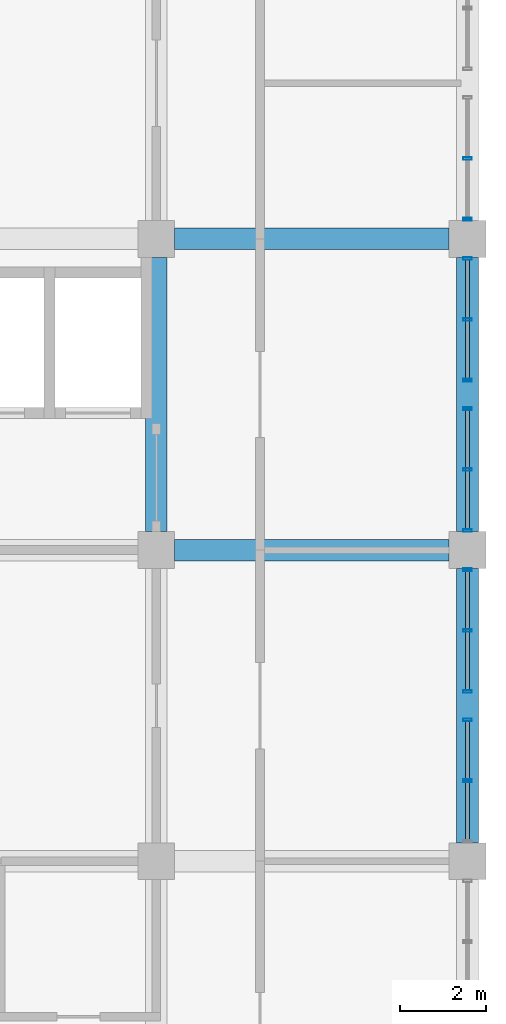
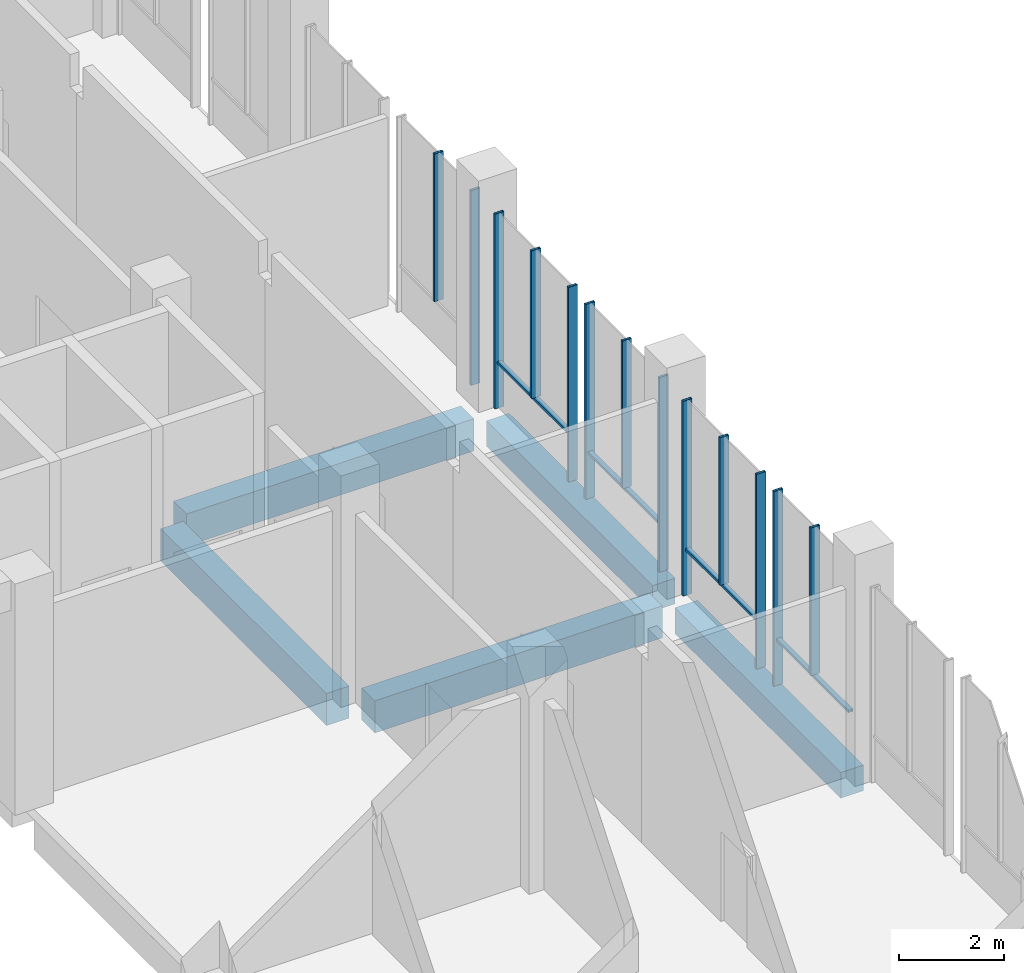
# One storey, part 15 of 48: 17 members, 5 beams, 5 elements without a shape of their own.
"""IFC4 building model written with IfcOpenShell, lengths in metres."""

import ifcopenshell
import ifcopenshell.guid

model = None  # the IFC model being written
_history = None  # IfcOwnerHistory: only IFC2X3 demands one
_inside = {}  # id of a spatial element -> (the spatial element, [elements in it])
_under = {}  # id of a project, library or spatial element -> (it, [spatial elements below it])
_declared = {}  # id of a project -> (the project, [libraries it declares])
_typed = {}  # id of a type object -> (the type object, [elements of that type])
_made_of = {}  # id of a material, layer set ... -> (it, [elements and type objects made of it])


def new_model(schema):
    """Start an empty IFC model of exactly this schema.

    Asked for "IFC4X3", IfcOpenShell would pick the latest addendum, in which some entities
    have other attributes; the version numbers below select the first issue.
    IFC2X3 requires an IfcOwnerHistory on every rooted entity: one is made here for all.
    """
    global model, _history
    if schema == "IFC4X3":
        model = ifcopenshell.file(schema_version=(4, 3, 0, 0))
    else:
        model = ifcopenshell.file(schema=schema)
    _inside.clear()
    _under.clear()
    _declared.clear()
    _typed.clear()
    _made_of.clear()
    _history = None
    if model.schema == "IFC2X3":
        org = make("IfcOrganization", Name="unknown")
        user = make(
            "IfcPersonAndOrganization",
            ThePerson=make("IfcPerson", FamilyName="unknown"),
            TheOrganization=org,
        )
        app = make(
            "IfcApplication",
            ApplicationDeveloper=org,
            Version="unknown",
            ApplicationFullName="unknown",
            ApplicationIdentifier="unknown",
        )
        _history = make(
            "IfcOwnerHistory",
            OwningUser=user,
            OwningApplication=app,
            ChangeAction="ADDED",
            CreationDate=0,
        )
    return model


def make(cls, **values):
    """One entity of the class cls with the attributes given. An attribute that is None is left unset."""
    return model.create_entity(
        cls, **{name: value for name, value in values.items() if value is not None}
    )


def rooted(cls, **values):
    """An entity with a GlobalId (a new one), such as an element, a storey or a relation."""
    return make(cls, GlobalId=ifcopenshell.guid.new(), OwnerHistory=_history, **values)


def si_unit(unit_type, name, prefix=None):
    """IfcSIUnit, for example si_unit("LENGTHUNIT", "METRE", prefix="MILLI")."""
    return make("IfcSIUnit", UnitType=unit_type, Prefix=prefix, Name=name)


def assignment(units):
    """IfcUnitAssignment: the units of a project."""
    return None if units is None else make("IfcUnitAssignment", Units=units)


def point(xyz):
    """IfcCartesianPoint."""
    return None if xyz is None else make("IfcCartesianPoint", Coordinates=xyz)


def direction(xyz):
    """IfcDirection."""
    return None if xyz is None else make("IfcDirection", DirectionRatios=xyz)


def frame(location, z_axis=None, x_axis=None):
    """IfcAxis2Placement3D, a coordinate frame: its origin and axes. An axis left out is left unset."""
    return make(
        "IfcAxis2Placement3D",
        Location=point(location),
        Axis=direction(z_axis),
        RefDirection=direction(x_axis),
    )


def frame_2d(location, x_axis=None):
    """IfcAxis2Placement2D, a coordinate frame in the plane: its origin and x axis."""
    return make(
        "IfcAxis2Placement2D", Location=point(location), RefDirection=direction(x_axis)
    )


def origin():
    """The frame at (0, 0, 0) with its axes left unset."""
    return frame((0.0, 0.0, 0.0))


def origin_2d():
    """The frame at (0, 0) in the plane with its x axis left unset."""
    return frame_2d((0.0, 0.0))


def place(relative_to, where):
    """IfcLocalPlacement: puts the frame where relative to a parent placement (None: the world)."""
    return make(
        "IfcLocalPlacement", PlacementRelTo=relative_to, RelativePlacement=where
    )


def context(
    kind, dimensions, precision=None, world=None, true_north=None, identifier=None
):
    """IfcGeometricRepresentationContext, for example the 3D "Model" context."""
    return make(
        "IfcGeometricRepresentationContext",
        ContextIdentifier=identifier,
        ContextType=kind,
        CoordinateSpaceDimension=dimensions,
        Precision=precision,
        WorldCoordinateSystem=world,
        TrueNorth=true_north,
    )


def subcontext(parent, identifier, kind, view, scale=None):
    """IfcGeometricRepresentationSubContext, for example "Body" below "Model"."""
    return make(
        "IfcGeometricRepresentationSubContext",
        ContextIdentifier=identifier,
        ContextType=kind,
        ParentContext=parent,
        TargetScale=scale,
        TargetView=view,
    )


def project(units=None, contexts=None):
    """IfcProject with its units and contexts."""
    return rooted(
        "IfcProject",
        Name="project",
        RepresentationContexts=contexts,
        UnitsInContext=assignment(units),
    )


def spatial(cls, under=None, at=None, **own):
    """A site, building, storey or space (cls), placed at a placement, below another one or the project."""
    s = rooted(cls, ObjectPlacement=at, **own)
    if under is not None:
        _under.setdefault(under.id(), (under, []))[1].append(s)
    return s


def profile(cls, at=None, kind="AREA", **sizes):
    """A parametric profile (cls). Its sizes go by their IFC names, for example OverallWidth=200.0."""
    return make(cls, ProfileType=kind, Position=at, **sizes)


def rectangle(**sizes):
    """IfcRectangleProfileDef."""
    return profile("IfcRectangleProfileDef", **sizes)


def hollow_rectangle(**sizes):
    """IfcRectangleHollowProfileDef."""
    return profile("IfcRectangleHollowProfileDef", **sizes)


def extrude(swept, where, along, depth):
    """IfcExtrudedAreaSolid: the profile swept, set in the frame where, extruded along a direction by depth."""
    return make(
        "IfcExtrudedAreaSolid",
        SweptArea=swept,
        Position=where,
        ExtrudedDirection=direction(along),
        Depth=depth,
    )


def shape(context_of_items, identifier, shape_type, items):
    """IfcShapeRepresentation: the items that make up one representation, for example the "Body"."""
    return make(
        "IfcShapeRepresentation",
        ContextOfItems=context_of_items,
        RepresentationIdentifier=identifier,
        RepresentationType=shape_type,
        Items=items,
    )


def material(Name=None, Category=None):
    """IfcMaterial."""
    return make("IfcMaterial", Name=Name, Category=Category)


def material_profile(
    of_material, cross_section, Name=None, Category=None, Priority=None
):
    """IfcMaterialProfile: a cross section and its material."""
    return make(
        "IfcMaterialProfile",
        Name=Name,
        Material=of_material,
        Profile=cross_section,
        Priority=Priority,
        Category=Category,
    )


def profile_set(profiles, Name=None, composite=None):
    """IfcMaterialProfileSet."""
    return make(
        "IfcMaterialProfileSet",
        Name=Name,
        MaterialProfiles=profiles,
        CompositeProfile=composite,
    )


def made_of(thing, what):
    """Note that an element or type object is made of a material, layer set ...; save() writes the relation."""
    if what is not None:
        _made_of.setdefault(what.id(), (what, []))[1].append(thing)
    return thing


def type_object(cls, material=None, **own):
    """A type object (cls), such as IfcWallType, which elements share."""
    return made_of(rooted(cls, **own), material)


def element(
    cls,
    number,
    at=None,
    inside=None,
    cuts=None,
    type_object=None,
    material=None,
    context=None,
    identifier="Body",
    shape_type=None,
    held_by="IfcProductDefinitionShape",
    body=None,
    shapes=None,
    **own,
):
    """One element of the class cls, such as IfcWall. Its Tag is "e" and its number.

    at: its placement. inside: the storey or other place that contains it. cuts: it is an
    opening in that element (IfcRelVoidsElement). A single representation is given by context,
    identifier, shape_type and body (its items); several are given by shapes. held_by: the class
    of the entity that holds the representations. save() writes the other relations.
    """
    e = rooted(cls, Tag="e%d" % number, ObjectPlacement=at, **own)
    if body is not None:
        shapes = [shape(context, identifier, shape_type, body)]
    if shapes is not None:
        e.Representation = make(held_by, Representations=shapes)
    if inside is not None:
        _inside.setdefault(inside.id(), (inside, []))[1].append(e)
    if cuts is not None:
        rooted(
            "IfcRelVoidsElement", RelatingBuildingElement=cuts, RelatedOpeningElement=e
        )
    if type_object is not None:
        _typed.setdefault(type_object.id(), (type_object, []))[1].append(e)
    return made_of(e, material)


def aggregate(whole, parts):
    """IfcRelAggregates: a whole, such as a stair, and the parts it consists of."""
    return rooted("IfcRelAggregates", RelatingObject=whole, RelatedObjects=parts)


def save(model, path):
    """Write the relations noted so far, then the file.

    IfcRelAggregates (storeys below a building ...), IfcRelContainedInSpatialStructure (elements
    in a storey), IfcRelDefinesByType, IfcRelAssociatesMaterial and IfcRelDeclares: one each for
    every whole, place, type object, material and project.
    """
    for whole, parts in _under.values():
        aggregate(whole, parts)
    for where, things in _inside.values():
        rooted(
            "IfcRelContainedInSpatialStructure",
            RelatedElements=things,
            RelatingStructure=where,
        )
    for kind, things in _typed.values():
        rooted("IfcRelDefinesByType", RelatedObjects=things, RelatingType=kind)
    for what, things in _made_of.values():
        rooted("IfcRelAssociatesMaterial", RelatedObjects=things, RelatingMaterial=what)
    for by, libraries in _declared.values():
        rooted("IfcRelDeclares", RelatingContext=by, RelatedDefinitions=libraries)
    model.write(path)


model = new_model("IFC4")

# Units and contexts
model_context = context("Model", 3, precision=1e-05, world=origin(), true_north=direction((0.0, 1.0)))
body_context = subcontext(model_context, "Body", "Model", "MODEL_VIEW")
ifc_project = project(units=[si_unit("LENGTHUNIT", "METRE"), si_unit("AREAUNIT", "SQUARE_METRE"), si_unit("VOLUMEUNIT", "CUBIC_METRE"), si_unit("PLANEANGLEUNIT", "RADIAN"), si_unit("MASSUNIT", "GRAM", prefix="KILO")], contexts=[model_context])

# Site, building, storey
site_placement = place(None, origin())
site = spatial("IfcSite", under=ifc_project, at=site_placement, CompositionType="ELEMENT")
building_placement = place(site_placement, origin())
building = spatial("IfcBuilding", under=site, at=building_placement, Name="Silangan Lancet Faculty of Sciences", CompositionType="ELEMENT")
storey_placement = place(building_placement, frame((0.0, 0.0, 6.0)))
storey = spatial("IfcBuildingStorey", under=building, at=storey_placement, Name="L01", CompositionType="ELEMENT", Elevation=6.0)

# Beams
ifc_material_1 = material(Name="Concrete C40/50", Category="concrete")
ifc_material_profile_1 = material_profile(ifc_material_1, rectangle(XDim=0.5, YDim=0.60009765625, at=origin_2d()), Name="RC 500x600")
ifc_profile_set_1 = profile_set([ifc_material_profile_1], Name="Concrete C40/50")
beam_type_1 = type_object("IfcBeamType", Name="BEAM RC 500x600", PredefinedType="BEAM", material=ifc_profile_set_1)
for number, where, z_axis, x_axis, name in (
    (1, (86.39990234375, 14.824951171875, -0.550048828125), (0.0, 1.0, 0.0), (-1.0, 0.0, 0.0), "BM-L01-13C-13D"),
    (2, (86.39990234375, 22.02490234375, -0.550048828125), (0.0, 1.0, 0.0), (-1.0, 0.0, 0.0), "BM-L01-13D-13E"),
):
    element("IfcBeam", number, at=place(storey_placement, frame(where, z_axis=z_axis, x_axis=x_axis)), inside=storey, type_object=beam_type_1, Name=name, PredefinedType="BEAM", context=body_context, shape_type="SweptSolid", body=[
        extrude(rectangle(XDim=0.5, YDim=0.60009765625, at=origin_2d()), origin(), (0.0, 0.0, 1.0), 6.35009765625),
    ])
ifc_material_2 = material(Name="Concrete C40/50", Category="concrete")
ifc_material_profile_2 = material_profile(ifc_material_2, rectangle(XDim=0.5, YDim=0.75, at=origin_2d()), Name="RC 500x750")
ifc_profile_set_2 = profile_set([ifc_material_profile_2], Name="Concrete C40/50")
beam_type_2 = type_object("IfcBeamType", Name="BEAM RC 500x750", PredefinedType="BEAM", material=ifc_profile_set_2)
for number, where, z_axis, x_axis, name in (
    (3, (79.625, 21.60009765625, -0.625), (1.0, 0.0, 0.0), (0.0, 1.0, 0.0), "BM-L01-12D-13D"),
    (4, (79.625, 28.800048828125, -0.625), (1.0, 0.0, 0.0), (0.0, 1.0, 0.0), "BM-L01-12E-13E"),
    (5, (79.199951171875, 22.02490234375, -0.625), (0.0, 1.0, 0.0), (-1.0, 0.0, 0.0), "BM-L01-12D-12E"),
):
    element("IfcBeam", number, at=place(storey_placement, frame(where, z_axis=z_axis, x_axis=x_axis)), inside=storey, type_object=beam_type_2, Name=name, PredefinedType="BEAM", context=body_context, shape_type="SweptSolid", body=[
        extrude(rectangle(XDim=0.5, YDim=0.75, at=origin_2d()), origin(), (0.0, 0.0, 1.0), 6.35009765625),
    ])

# Curtain wall, members
ifc_material_3 = material(Name="Aluminium framed curtain wall with insulated glass", Category="aluminium")
curtain_wall_type = type_object("IfcCurtainWallType", Name="CW1 Commons and east block glazing", PredefinedType="NOTDEFINED", material=ifc_material_3)
curtain_wall_1_placement = place(storey_placement, origin())
curtain_wall_1 = element("IfcCurtainWall", 6, at=curtain_wall_1_placement, inside=storey, type_object=curtain_wall_type, Name="CW1 East commons L01 bay 3", PredefinedType="NOTDEFINED")
ifc_material_4 = material(Name="Aluminium 6063-T6 extrusion", Category="aluminium")
ifc_material_profile_3 = material_profile(ifc_material_4, hollow_rectangle(XDim=0.06005859375, YDim=0.199951171875, WallThickness=0.00390625, at=origin_2d()), Name="AL BOX 60x200x4")
ifc_profile_set_3 = profile_set([ifc_material_profile_3], Name="Aluminium 6063-T6 extrusion")
member_type_1 = type_object("IfcMemberType", Name="CM1 Mullion 60x200", PredefinedType="MULLION", material=ifc_profile_set_3)
member_1_placement = place(storey_placement, frame((86.39990234375, 17.669921875, 0.0), z_axis=(0.0, 0.0, 1.0), x_axis=(0.0, 1.0, 0.0)))
member_1 = element("IfcMember", 7, at=member_1_placement, type_object=member_type_1, Name="CW1 East commons L01 bay 3 mullion 2", PredefinedType="MULLION", context=body_context, shape_type="SweptSolid", body=[
    extrude(hollow_rectangle(XDim=0.06005859375, YDim=0.199951171875, WallThickness=0.00390625, at=origin_2d()), origin(), (0.0, 0.0, 1.0), 4.550048828125),
])
member_2_placement = place(storey_placement, frame((86.39990234375, 16.262451171875, 1.10009765625), z_axis=(0.0, 0.0, 1.0), x_axis=(0.0, 1.0, 0.0)))
member_2 = element("IfcMember", 8, at=member_2_placement, type_object=member_type_1, Name="CW1 East commons L01 bay 3 mullion 3", PredefinedType="MULLION", context=body_context, shape_type="SweptSolid", body=[
    extrude(hollow_rectangle(XDim=0.06005859375, YDim=0.199951171875, WallThickness=0.00390625, at=origin_2d()), origin(), (0.0, 0.0, 1.0), 3.449951171875),
])

curtain_wall_2_placement = place(storey_placement, origin())
curtain_wall_2 = element("IfcCurtainWall", 9, at=curtain_wall_2_placement, inside=storey, type_object=curtain_wall_type, Name="CW1 East commons L01 bay 4", PredefinedType="NOTDEFINED")
member_3_placement = place(storey_placement, frame((86.39990234375, 18.330078125, 0.0), z_axis=(0.0, 0.0, 1.0), x_axis=(0.0, 1.0, 0.0)))
member_3 = element("IfcMember", 10, at=member_3_placement, type_object=member_type_1, Name="CW1 East commons L01 bay 4 mullion 1", PredefinedType="MULLION", context=body_context, shape_type="SweptSolid", body=[
    extrude(hollow_rectangle(XDim=0.06005859375, YDim=0.199951171875, WallThickness=0.00390625, at=origin_2d()), origin(), (0.0, 0.0, 1.0), 4.550048828125),
])
member_4_placement = place(storey_placement, frame((86.39990234375, 21.14501953125, 0.0), z_axis=(0.0, 0.0, 1.0), x_axis=(0.0, 1.0, 0.0)))
member_4 = element("IfcMember", 11, at=member_4_placement, type_object=member_type_1, Name="CW1 East commons L01 bay 4 mullion 2", PredefinedType="MULLION", context=body_context, shape_type="SweptSolid", body=[
    extrude(hollow_rectangle(XDim=0.06005859375, YDim=0.199951171875, WallThickness=0.00390625, at=origin_2d()), origin(), (0.0, 0.0, 1.0), 4.550048828125),
])
member_5_placement = place(storey_placement, frame((86.39990234375, 19.737548828125, 1.10009765625), z_axis=(0.0, 0.0, 1.0), x_axis=(0.0, 1.0, 0.0)))
member_5 = element("IfcMember", 12, at=member_5_placement, type_object=member_type_1, Name="CW1 East commons L01 bay 4 mullion 3", PredefinedType="MULLION", context=body_context, shape_type="SweptSolid", body=[
    extrude(hollow_rectangle(XDim=0.06005859375, YDim=0.199951171875, WallThickness=0.00390625, at=origin_2d()), origin(), (0.0, 0.0, 1.0), 3.449951171875),
])

curtain_wall_3_placement = place(storey_placement, origin())
curtain_wall_3 = element("IfcCurtainWall", 13, at=curtain_wall_3_placement, inside=storey, type_object=curtain_wall_type, Name="CW1 East commons L01 bay 5", PredefinedType="NOTDEFINED")
member_6_placement = place(storey_placement, frame((86.39990234375, 22.054931640625, 0.0), z_axis=(0.0, 0.0, 1.0), x_axis=(0.0, 1.0, 0.0)))
member_6 = element("IfcMember", 14, at=member_6_placement, type_object=member_type_1, Name="CW1 East commons L01 bay 5 mullion 1", PredefinedType="MULLION", context=body_context, shape_type="SweptSolid", body=[
    extrude(hollow_rectangle(XDim=0.06005859375, YDim=0.199951171875, WallThickness=0.00390625, at=origin_2d()), origin(), (0.0, 0.0, 1.0), 4.550048828125),
])
member_7_placement = place(storey_placement, frame((86.39990234375, 24.8701171875, 0.0), z_axis=(0.0, 0.0, 1.0), x_axis=(0.0, 1.0, 0.0)))
member_7 = element("IfcMember", 15, at=member_7_placement, type_object=member_type_1, Name="CW1 East commons L01 bay 5 mullion 2", PredefinedType="MULLION", context=body_context, shape_type="SweptSolid", body=[
    extrude(hollow_rectangle(XDim=0.06005859375, YDim=0.199951171875, WallThickness=0.00390625, at=origin_2d()), origin(), (0.0, 0.0, 1.0), 4.550048828125),
])
member_8_placement = place(storey_placement, frame((86.39990234375, 23.46240234375, 1.10009765625), z_axis=(0.0, 0.0, 1.0), x_axis=(0.0, 1.0, 0.0)))
member_8 = element("IfcMember", 16, at=member_8_placement, type_object=member_type_1, Name="CW1 East commons L01 bay 5 mullion 3", PredefinedType="MULLION", context=body_context, shape_type="SweptSolid", body=[
    extrude(hollow_rectangle(XDim=0.06005859375, YDim=0.199951171875, WallThickness=0.00390625, at=origin_2d()), origin(), (0.0, 0.0, 1.0), 3.449951171875),
])

curtain_wall_4_placement = place(storey_placement, origin())
curtain_wall_4 = element("IfcCurtainWall", 17, at=curtain_wall_4_placement, inside=storey, type_object=curtain_wall_type, Name="CW1 East commons L01 bay 6", PredefinedType="NOTDEFINED")
member_9_placement = place(storey_placement, frame((86.39990234375, 25.530029296875, 0.0), z_axis=(0.0, 0.0, 1.0), x_axis=(0.0, 1.0, 0.0)))
member_9 = element("IfcMember", 18, at=member_9_placement, type_object=member_type_1, Name="CW1 East commons L01 bay 6 mullion 1", PredefinedType="MULLION", context=body_context, shape_type="SweptSolid", body=[
    extrude(hollow_rectangle(XDim=0.06005859375, YDim=0.199951171875, WallThickness=0.00390625, at=origin_2d()), origin(), (0.0, 0.0, 1.0), 4.550048828125),
])
member_10_placement = place(storey_placement, frame((86.39990234375, 28.344970703125, 0.0), z_axis=(0.0, 0.0, 1.0), x_axis=(0.0, 1.0, 0.0)))
member_10 = element("IfcMember", 19, at=member_10_placement, type_object=member_type_1, Name="CW1 East commons L01 bay 6 mullion 2", PredefinedType="MULLION", context=body_context, shape_type="SweptSolid", body=[
    extrude(hollow_rectangle(XDim=0.06005859375, YDim=0.199951171875, WallThickness=0.00390625, at=origin_2d()), origin(), (0.0, 0.0, 1.0), 4.550048828125),
])
member_11_placement = place(storey_placement, frame((86.39990234375, 26.9375, 1.10009765625), z_axis=(0.0, 0.0, 1.0), x_axis=(0.0, 1.0, 0.0)))
member_11 = element("IfcMember", 20, at=member_11_placement, type_object=member_type_1, Name="CW1 East commons L01 bay 6 mullion 3", PredefinedType="MULLION", context=body_context, shape_type="SweptSolid", body=[
    extrude(hollow_rectangle(XDim=0.06005859375, YDim=0.199951171875, WallThickness=0.00390625, at=origin_2d()), origin(), (0.0, 0.0, 1.0), 3.449951171875),
])

curtain_wall_5_placement = place(storey_placement, origin())
curtain_wall_5 = element("IfcCurtainWall", 21, at=curtain_wall_5_placement, inside=storey, type_object=curtain_wall_type, Name="CW1 East commons L01 bay 7", PredefinedType="NOTDEFINED")
member_12_placement = place(storey_placement, frame((86.39990234375, 29.2548828125, 0.0), z_axis=(0.0, 0.0, 1.0), x_axis=(0.0, 1.0, 0.0)))
member_12 = element("IfcMember", 22, at=member_12_placement, type_object=member_type_1, Name="CW1 East commons L01 bay 7 mullion 1", PredefinedType="MULLION", context=body_context, shape_type="SweptSolid", body=[
    extrude(hollow_rectangle(XDim=0.06005859375, YDim=0.199951171875, WallThickness=0.00390625, at=origin_2d()), origin(), (0.0, 0.0, 1.0), 4.550048828125),
])
member_13_placement = place(storey_placement, frame((86.39990234375, 30.662353515625, 1.10009765625), z_axis=(0.0, 0.0, 1.0), x_axis=(0.0, 1.0, 0.0)))
member_13 = element("IfcMember", 23, at=member_13_placement, type_object=member_type_1, Name="CW1 East commons L01 bay 7 mullion 3", PredefinedType="MULLION", context=body_context, shape_type="SweptSolid", body=[
    extrude(hollow_rectangle(XDim=0.06005859375, YDim=0.199951171875, WallThickness=0.00390625, at=origin_2d()), origin(), (0.0, 0.0, 1.0), 3.449951171875),
])
aggregate(curtain_wall_5, [member_12, member_13])

# Member
ifc_material_5 = material(Name="Aluminium 6063-T6 extrusion", Category="aluminium")
ifc_material_profile_4 = material_profile(ifc_material_5, hollow_rectangle(XDim=0.10009765625, YDim=0.06005859375, WallThickness=0.0029296875, at=origin_2d()), Name="AL BOX 100x60x3")
ifc_profile_set_4 = profile_set([ifc_material_profile_4], Name="Aluminium 6063-T6 extrusion")
member_type_2 = type_object("IfcMemberType", Name="CT1 Transom 100x60", PredefinedType="USERDEFINED", material=ifc_profile_set_4)
member_14_placement = place(storey_placement, frame((86.39990234375, 14.885009765625, 1.070068359375), z_axis=(0.0, 1.0, 0.0), x_axis=(-1.0, 0.0, 0.0)))
member_14 = element("IfcMember", 24, at=member_14_placement, type_object=member_type_2, Name="CW1 East commons L01 bay 3 transom 1", ObjectType="TRANSOM", PredefinedType="USERDEFINED", context=body_context, shape_type="SweptSolid", body=[
    extrude(hollow_rectangle(XDim=0.10009765625, YDim=0.06005859375, WallThickness=0.0029296875, at=origin_2d()), origin(), (0.0, 0.0, 1.0), 2.7548828125),
])

aggregate(curtain_wall_1, [member_1, member_2, member_14])

member_15_placement = place(storey_placement, frame((86.39990234375, 18.360107421875, 1.070068359375), z_axis=(0.0, 1.0, 0.0), x_axis=(-1.0, 0.0, 0.0)))
member_15 = element("IfcMember", 25, at=member_15_placement, type_object=member_type_2, Name="CW1 East commons L01 bay 4 transom 1", ObjectType="TRANSOM", PredefinedType="USERDEFINED", context=body_context, shape_type="SweptSolid", body=[
    extrude(hollow_rectangle(XDim=0.10009765625, YDim=0.06005859375, WallThickness=0.0029296875, at=origin_2d()), origin(), (0.0, 0.0, 1.0), 2.7548828125),
])

aggregate(curtain_wall_2, [member_3, member_4, member_5, member_15])

member_16_placement = place(storey_placement, frame((86.39990234375, 22.0849609375, 1.070068359375), z_axis=(0.0, 1.0, 0.0), x_axis=(-1.0, 0.0, 0.0)))
member_16 = element("IfcMember", 26, at=member_16_placement, type_object=member_type_2, Name="CW1 East commons L01 bay 5 transom 1", ObjectType="TRANSOM", PredefinedType="USERDEFINED", context=body_context, shape_type="SweptSolid", body=[
    extrude(hollow_rectangle(XDim=0.10009765625, YDim=0.06005859375, WallThickness=0.0029296875, at=origin_2d()), origin(), (0.0, 0.0, 1.0), 2.755126953125),
])

aggregate(curtain_wall_3, [member_6, member_7, member_8, member_16])

member_17_placement = place(storey_placement, frame((86.39990234375, 25.56005859375, 1.070068359375), z_axis=(0.0, 1.0, 0.0), x_axis=(-1.0, 0.0, 0.0)))
member_17 = element("IfcMember", 27, at=member_17_placement, type_object=member_type_2, Name="CW1 East commons L01 bay 6 transom 1", ObjectType="TRANSOM", PredefinedType="USERDEFINED", context=body_context, shape_type="SweptSolid", body=[
    extrude(hollow_rectangle(XDim=0.10009765625, YDim=0.06005859375, WallThickness=0.0029296875, at=origin_2d()), origin(), (0.0, 0.0, 1.0), 2.7548828125),
])

aggregate(curtain_wall_4, [member_9, member_10, member_11, member_17])

save(model, "model.ifc")
